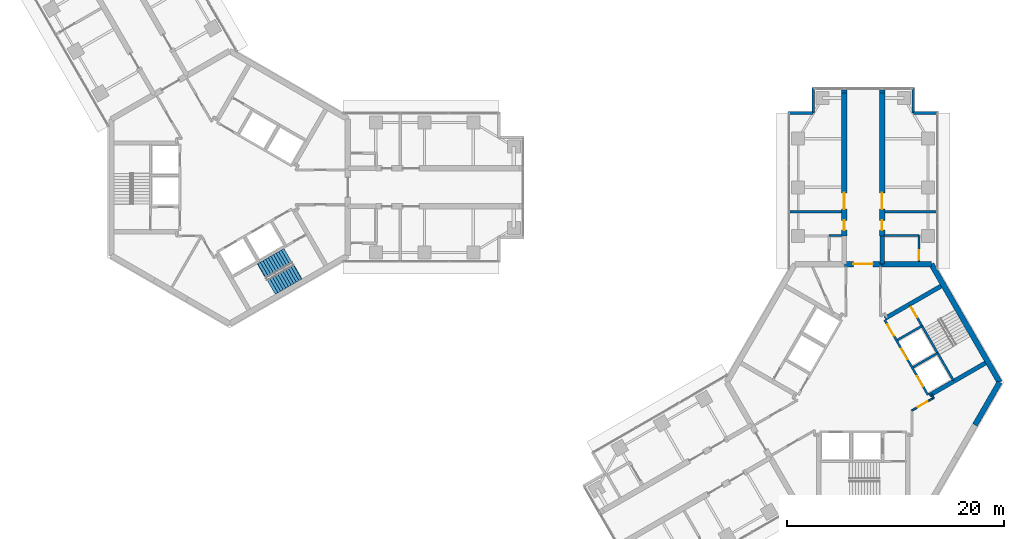
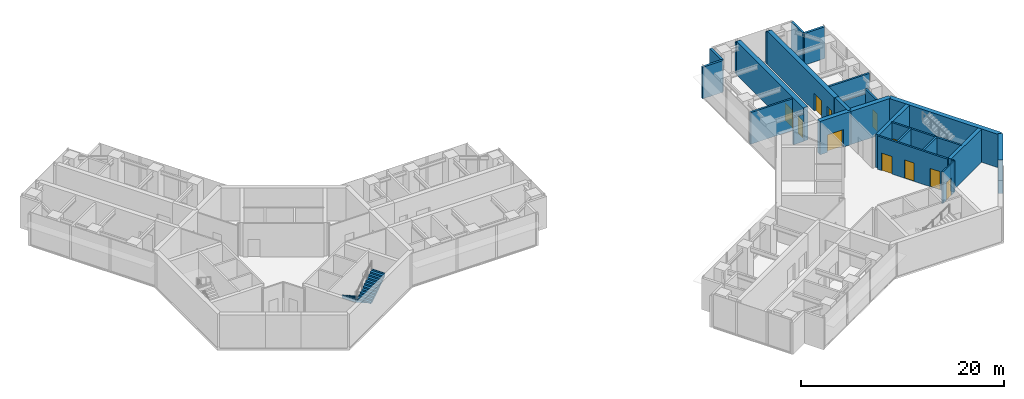
# One storey, part 15 of 17: 26 walls, 11 doors, 2 stair flights, 11 openings, 1 element without a shape of its own.
"""IFC4 building model written with IfcOpenShell, lengths in metres."""

from ifc_helpers import new_model, si_unit, direction, frame, frame_2d, origin, place, context, subcontext, project, spatial, polyline, rectangle, outline, extrude, material, layer, layer_set, type_object, element, fill, aggregate, save


model = new_model("IFC4")

# Units and contexts
model_context = context("Model", 3, precision=1e-05, world=origin(), true_north=direction((0.0, 1.0)))
body_context = subcontext(model_context, "Body", "Model", "MODEL_VIEW")
ifc_project = project(units=[si_unit("LENGTHUNIT", "METRE"), si_unit("AREAUNIT", "SQUARE_METRE"), si_unit("VOLUMEUNIT", "CUBIC_METRE"), si_unit("PLANEANGLEUNIT", "RADIAN"), si_unit("MASSUNIT", "GRAM", prefix="KILO")], contexts=[model_context])

# Site, building, storey
site_placement = place(None, origin())
site = spatial("IfcSite", under=ifc_project, at=site_placement, CompositionType="ELEMENT")
building_placement = place(site_placement, origin())
building = spatial("IfcBuilding", under=site, at=building_placement, Name="Upepo Twin Towers", CompositionType="ELEMENT")
storey_placement = place(building_placement, frame((0.0, 0.0, 174.5)))
storey = spatial("IfcBuildingStorey", under=building, at=storey_placement, Name="L42", CompositionType="ELEMENT", Elevation=174.5)

# Walls
ifc_material_1 = material(Name="Concrete blockwork, plastered both faces", Category="masonry")
ifc_layer_1 = layer(ifc_material_1, 0.215087890625)
ifc_layer_set_1 = layer_set([ifc_layer_1], Name="Blockwork partition 215")
wall_type_1 = type_object("IfcWallType", Name="Blockwork partition 215", PredefinedType="PARTITIONING", material=ifc_layer_set_1)
wall_1_placement = place(storey_placement, frame((56.5, -2.25, 0.0), z_axis=(0.0, 0.0, 1.0), x_axis=(-1.0, 0.0, 0.0)))
element("IfcWall", 1, at=wall_1_placement, inside=storey, type_object=wall_type_1, Name="T2 partition AL at 15.75", PredefinedType="PARTITIONING", context=body_context, shape_type="SweptSolid", body=[
    extrude(rectangle(XDim=4.75, YDim=0.215087890625, at=frame_2d((2.375, 0.0))), origin(), (0.0, 0.0, 1.0), 3.800048828125),
])
wall_2_placement = place(storey_placement, frame((56.550048828125, -4.44189453125, 0.0), z_axis=(0.0, 0.0, 1.0), x_axis=(-1.0, 0.0, 0.0)))
element("IfcWall", 2, at=wall_2_placement, inside=storey, type_object=wall_type_1, Name="T2 WC bay partition AL end at 13.56", PredefinedType="PARTITIONING", context=body_context, shape_type="SweptSolid", body=[
    extrude(rectangle(XDim=1.199951171875, YDim=0.215087890625, at=frame_2d((0.60009765625, 0.0))), origin(), (0.0, 0.0, 1.0), 3.266845703125),
])
wall_3_placement = place(storey_placement, frame((60.5, -2.25, 0.0), z_axis=(0.0, 0.0, 1.0), x_axis=(1.0, 0.0, 0.0)))
element("IfcWall", 3, at=wall_3_placement, inside=storey, type_object=wall_type_1, Name="T2 partition AR at 15.75", PredefinedType="PARTITIONING", context=body_context, shape_type="SweptSolid", body=[
    extrude(rectangle(XDim=4.75, YDim=0.215087890625, at=frame_2d((2.375, 0.0))), origin(), (0.0, 0.0, 1.0), 3.800048828125),
])

# Wall, opening, door
wall_4_placement = place(storey_placement, frame((63.64990234375, -6.842041015625, 0.0), z_axis=(0.0, 0.0, 1.0), x_axis=(0.0, 1.0, 0.0)))
wall_4 = element("IfcWall", 4, at=wall_4_placement, inside=storey, type_object=wall_type_1, Name="T2 WC bay partition AR at 11.16", PredefinedType="PARTITIONING", context=body_context, shape_type="SweptSolid", body=[
    extrude(rectangle(XDim=2.400146484375, YDim=0.215087890625, at=frame_2d((1.2001953125, 0.0))), origin(), (0.0, 0.0, 1.0), 3.800048828125),
])
opening_1_placement = place(wall_4_placement, frame((0.14990234375, 0.0, 0.0)))
opening_1 = element("IfcOpeningElement", 5, at=opening_1_placement, cuts=wall_4, Name="Opening D14", PredefinedType="OPENING", context=body_context, shape_type="SweptSolid", body=[
    extrude(rectangle(XDim=0.89990234375, YDim=2.10009765625, at=frame_2d((0.449951171875, 1.050048828125))), frame((0.0, 0.117431640625, 0.0), z_axis=(0.0, -1.0, 0.0), x_axis=(1.0, 0.0, 0.0)), (0.0, 0.0, 1.0), 0.235107421875),
])
ifc_material_2 = material(Name="Timber doorset", Category="wood")
door_type_1 = type_object("IfcDoorType", Name="Office door 900 FD30", OperationType="SINGLE_SWING_LEFT", PredefinedType="DOOR", material=ifc_material_2)
door_1_placement = place(opening_1_placement, origin())
door_1 = element("IfcDoor", 6, at=door_1_placement, inside=storey, type_object=door_type_1, Name="T2 L42 WC bay inner room door", OperationType="SINGLE_SWING_LEFT", OverallHeight=2.10009765625, OverallWidth=0.89990234375, PredefinedType="DOOR", context=body_context, shape_type="SweptSolid", body=[
    extrude(rectangle(XDim=0.89990234375, YDim=2.10009765625, at=frame_2d((0.449951171875, 1.050048828125))), frame((0.0, 0.02490234375, 0.0), z_axis=(0.0, -1.0, 0.0), x_axis=(1.0, 0.0, 0.0)), (0.0, 0.0, 1.0), 0.050048828125),
])
fill(opening_1, door_1)

# Walls
wall_5_placement = place(storey_placement, frame((60.449951171875, -4.44189453125, 0.0), z_axis=(0.0, 0.0, 1.0), x_axis=(1.0, 0.0, 0.0)))
element("IfcWall", 7, at=wall_5_placement, inside=storey, type_object=wall_type_1, Name="T2 WC bay partition AR end at 13.56", PredefinedType="PARTITIONING", context=body_context, shape_type="SweptSolid", body=[
    extrude(rectangle(XDim=3.199951171875, YDim=0.215087890625, at=frame_2d((1.60009765625, 0.0))), origin(), (0.0, 0.0, 1.0), 3.266845703125),
])
ifc_material_3 = material(Name="Dense concrete blockwork", Category="masonry")
ifc_layer_2 = layer(ifc_material_3, 0.5)
ifc_layer_set_2 = layer_set([ifc_layer_2], Name="Buttress closer 500, blockwork with fire-stopping to the curtain wall")
wall_type_2 = type_object("IfcWallType", Name="Buttress closer 500, blockwork with fire-stopping to the curtain wall", PredefinedType="PARTITIONING", material=ifc_layer_set_2)
for number, where, z_axis, x_axis, name in (
    (8, (56.75, 8.699951171875, 0.0), (0.0, 0.0, 1.0), (0.0, 1.0, 0.0), "T2 L42 wing A buttress closer L"),
    (9, (60.25, 8.699951171875, 0.0), (0.0, 0.0, 1.0), (0.0, 1.0, 0.0), "T2 L42 wing A buttress closer R"),
):
    element("IfcWall", number, at=place(storey_placement, frame(where, z_axis=z_axis, x_axis=x_axis)), inside=storey, type_object=wall_type_2, Name=name, PredefinedType="PARTITIONING", context=body_context, shape_type="SweptSolid", body=[
        extrude(rectangle(XDim=0.28759765625, YDim=0.5, at=frame_2d((0.143798828125, 0.0))), origin(), (0.0, 0.0, 1.0), 3.800048828125),
    ])
ifc_material_4 = material(Name="Concrete C60/75", Category="concrete")
ifc_layer_3 = layer(ifc_material_4, 0.39990234375)
ifc_layer_set_3 = layer_set([ifc_layer_3], Name="Concrete C60/75")
wall_type_3 = type_object("IfcWallType", Name="Buttress wall 400 RC", PredefinedType="SHEAR", material=ifc_layer_set_3)
wall_6_placement = place(storey_placement, frame((60.25, -7.091552734375, 0.0), z_axis=(0.0, 0.0, 1.0), x_axis=(0.0, 1.0, 0.0)))
element("IfcWall", 10, at=wall_6_placement, inside=storey, type_object=wall_type_3, Name="T2 wing A buttress wall R", PredefinedType="SHEAR", context=body_context, shape_type="SweptSolid", body=[
    extrude(rectangle(XDim=2.591552734375, YDim=0.39990234375, at=frame_2d((1.2958984375, 0.0))), origin(), (0.0, 0.0, 1.0), 4.0),
])

# Wall, openings, doors
ifc_material_5 = material(Name="Concrete C60/75", Category="concrete")
ifc_layer_4 = layer(ifc_material_5, 0.5)
ifc_layer_set_4 = layer_set([ifc_layer_4], Name="Concrete C60/75")
wall_type_4 = type_object("IfcWallType", Name="Buttress wall 500 RC", PredefinedType="SHEAR", material=ifc_layer_set_4)
wall_7_placement = place(storey_placement, frame((56.75, -4.5, 0.0), z_axis=(0.0, 0.0, 1.0), x_axis=(0.0, 1.0, 0.0)))
wall_7 = element("IfcWall", 11, at=wall_7_placement, inside=storey, type_object=wall_type_4, Name="T2 wing A buttress wall L part 2", PredefinedType="SHEAR", context=body_context, shape_type="SweptSolid", body=[
    extrude(rectangle(XDim=13.199951171875, YDim=0.5, at=frame_2d((6.60009765625, 0.0))), origin(), (0.0, 0.0, 1.0), 4.0),
])
opening_2_placement = place(wall_7_placement, frame((0.550048828125, 0.0, 0.0)))
opening_2 = element("IfcOpeningElement", 12, at=opening_2_placement, cuts=wall_7, Name="Opening D11", PredefinedType="OPENING", context=body_context, shape_type="SweptSolid", body=[
    extrude(rectangle(XDim=0.89990234375, YDim=2.10009765625, at=frame_2d((0.449951171875, 1.050048828125))), frame((0.0, 0.260009765625, 0.0), z_axis=(0.0, -1.0, 0.0), x_axis=(1.0, 0.0, 0.0)), (0.0, 0.0, 1.0), 0.52001953125),
])
opening_3_placement = place(wall_7_placement, frame((2.5, 0.0, 0.0)))
opening_3 = element("IfcOpeningElement", 13, at=opening_3_placement, cuts=wall_7, Name="Opening D13", PredefinedType="OPENING", context=body_context, shape_type="SweptSolid", body=[
    extrude(rectangle(XDim=1.5, YDim=2.10009765625, at=frame_2d((0.75, 1.050048828125))), frame((0.0, 0.260009765625, 0.0), z_axis=(0.0, -1.0, 0.0), x_axis=(1.0, 0.0, 0.0)), (0.0, 0.0, 1.0), 0.52001953125),
])
ifc_material_6 = material(Name="Timber doorset", Category="wood")
door_type_2 = type_object("IfcDoorType", Name="Double door 1500 FD30", OperationType="DOUBLE_DOOR_SINGLE_SWING", PredefinedType="DOOR", material=ifc_material_6)
door_2_placement = place(opening_3_placement, origin())
door_2 = element("IfcDoor", 14, at=door_2_placement, inside=storey, type_object=door_type_2, Name="T2 L42 lecture room door", OperationType="DOUBLE_DOOR_SINGLE_SWING", OverallHeight=2.10009765625, OverallWidth=1.5, PredefinedType="DOOR", context=body_context, shape_type="SweptSolid", body=[
    extrude(rectangle(XDim=1.5, YDim=2.10009765625, at=frame_2d((0.75, 1.050048828125))), frame((0.0, 0.02490234375, 0.0), z_axis=(0.0, -1.0, 0.0), x_axis=(1.0, 0.0, 0.0)), (0.0, 0.0, 1.0), 0.050048828125),
])
fill(opening_3, door_2)
ifc_material_7 = material(Name="Timber doorset", Category="wood")
door_type_3 = type_object("IfcDoorType", Name="Toilet door 900", OperationType="SINGLE_SWING_LEFT", PredefinedType="DOOR", material=ifc_material_7)
door_3_placement = place(opening_2_placement, origin())
door_3 = element("IfcDoor", 15, at=door_3_placement, inside=storey, type_object=door_type_3, Name="T2 L42 toilets door", OperationType="SINGLE_SWING_LEFT", OverallHeight=2.10009765625, OverallWidth=0.89990234375, PredefinedType="DOOR", context=body_context, shape_type="SweptSolid", body=[
    extrude(rectangle(XDim=0.89990234375, YDim=2.10009765625, at=frame_2d((0.449951171875, 1.050048828125))), frame((0.0, 0.02490234375, 0.0), z_axis=(0.0, -1.0, 0.0), x_axis=(1.0, 0.0, 0.0)), (0.0, 0.0, 1.0), 0.050048828125),
])
fill(opening_2, door_3)

wall_8_placement = place(storey_placement, frame((60.25, -4.5, 0.0), z_axis=(0.0, 0.0, 1.0), x_axis=(0.0, 1.0, 0.0)))
wall_8 = element("IfcWall", 16, at=wall_8_placement, inside=storey, type_object=wall_type_4, Name="T2 wing A buttress wall R part 2", PredefinedType="SHEAR", context=body_context, shape_type="SweptSolid", body=[
    extrude(rectangle(XDim=13.199951171875, YDim=0.5, at=frame_2d((6.60009765625, 0.0))), origin(), (0.0, 0.0, 1.0), 4.0),
])
opening_4_placement = place(wall_8_placement, frame((0.550048828125, 0.0, 0.0)))
opening_4 = element("IfcOpeningElement", 17, at=opening_4_placement, cuts=wall_8, Name="Opening D11", PredefinedType="OPENING", context=body_context, shape_type="SweptSolid", body=[
    extrude(rectangle(XDim=0.89990234375, YDim=2.10009765625, at=frame_2d((0.449951171875, 1.050048828125))), frame((0.0, 0.260009765625, 0.0), z_axis=(0.0, -1.0, 0.0), x_axis=(1.0, 0.0, 0.0)), (0.0, 0.0, 1.0), 0.52001953125),
])
opening_5_placement = place(wall_8_placement, frame((2.5, 0.0, 0.0)))
opening_5 = element("IfcOpeningElement", 18, at=opening_5_placement, cuts=wall_8, Name="Opening D13", PredefinedType="OPENING", context=body_context, shape_type="SweptSolid", body=[
    extrude(rectangle(XDim=1.5, YDim=2.10009765625, at=frame_2d((0.75, 1.050048828125))), frame((0.0, 0.260009765625, 0.0), z_axis=(0.0, -1.0, 0.0), x_axis=(1.0, 0.0, 0.0)), (0.0, 0.0, 1.0), 0.52001953125),
])
door_4_placement = place(opening_5_placement, origin())
door_4 = element("IfcDoor", 19, at=door_4_placement, inside=storey, type_object=door_type_2, Name="T2 L42 lecture room door", OperationType="DOUBLE_DOOR_SINGLE_SWING", OverallHeight=2.10009765625, OverallWidth=1.5, PredefinedType="DOOR", context=body_context, shape_type="SweptSolid", body=[
    extrude(rectangle(XDim=1.5, YDim=2.10009765625, at=frame_2d((0.75, 1.050048828125))), frame((0.0, 0.02490234375, 0.0), z_axis=(0.0, -1.0, 0.0), x_axis=(1.0, 0.0, 0.0)), (0.0, 0.0, 1.0), 0.050048828125),
])
fill(opening_5, door_4)
door_5_placement = place(opening_4_placement, origin())
door_5 = element("IfcDoor", 20, at=door_5_placement, inside=storey, type_object=door_type_3, Name="T2 L42 accessible wc door", OperationType="SINGLE_SWING_LEFT", OverallHeight=2.10009765625, OverallWidth=0.89990234375, PredefinedType="DOOR", context=body_context, shape_type="SweptSolid", body=[
    extrude(rectangle(XDim=0.89990234375, YDim=2.10009765625, at=frame_2d((0.449951171875, 1.050048828125))), frame((0.0, 0.02490234375, 0.0), z_axis=(0.0, -1.0, 0.0), x_axis=(1.0, 0.0, 0.0)), (0.0, 0.0, 1.0), 0.050048828125),
])
fill(opening_4, door_5)

# Wall
ifc_material_8 = material(Name="Concrete C60/75", Category="concrete")
ifc_layer_5 = layer(ifc_material_8, 0.5)
ifc_layer_set_5 = layer_set([ifc_layer_5], Name="Concrete C60/75")
wall_type_5 = type_object("IfcWallType", Name="Core wall 500 RC", PredefinedType="SHEAR", material=ifc_layer_set_5)
wall_9_placement = place(storey_placement, frame((64.7978515625, -7.091552734375, 0.0), z_axis=(0.0, 0.0, 1.0), x_axis=(-1.0, 0.0, 0.0)))
element("IfcWall", 21, at=wall_9_placement, inside=storey, type_object=wall_type_5, Name="T2 core wall 000 R", PredefinedType="SHEAR", context=body_context, shape_type="SweptSolid", body=[
    extrude(rectangle(XDim=4.5478515625, YDim=0.5, at=frame_2d((2.27392578125, 0.0))), origin(), (0.0, 0.0, 1.0), 4.0),
])

# Wall, opening, door
wall_10_placement = place(storey_placement, frame((60.25, -7.091552734375, 0.0), z_axis=(0.0, 0.0, 1.0), x_axis=(-1.0, 0.0, 0.0)))
wall_10 = element("IfcWall", 22, at=wall_10_placement, inside=storey, type_object=wall_type_5, Name="T2 core wall 000", PredefinedType="SHEAR", context=body_context, shape_type="SweptSolid", body=[
    extrude(rectangle(XDim=3.5, YDim=0.5, at=frame_2d((1.75, 0.0))), origin(), (0.0, 0.0, 1.0), 4.0),
])
opening_6_placement = place(wall_10_placement, frame((0.85009765625, 0.0, 0.0)))
opening_6 = element("IfcOpeningElement", 23, at=opening_6_placement, cuts=wall_10, Name="Opening D2", PredefinedType="OPENING", context=body_context, shape_type="SweptSolid", body=[
    extrude(rectangle(XDim=1.800048828125, YDim=2.10009765625, at=frame_2d((0.89990234375, 1.050048828125))), frame((0.0, 0.260009765625, 0.0), z_axis=(0.0, -1.0, 0.0), x_axis=(1.0, 0.0, 0.0)), (0.0, 0.0, 1.0), 0.52001953125),
])
ifc_material_9 = material(Name="Timber doorset", Category="wood")
door_type_4 = type_object("IfcDoorType", Name="Corridor double door 1800 FD60", OperationType="DOUBLE_DOOR_DOUBLE_SWING", PredefinedType="DOOR", material=ifc_material_9)
door_6_placement = place(opening_6_placement, origin())
door_6 = element("IfcDoor", 24, at=door_6_placement, inside=storey, type_object=door_type_4, Name="T2 L42 wing A corridor door", OperationType="DOUBLE_DOOR_DOUBLE_SWING", OverallHeight=2.10009765625, OverallWidth=1.800048828125, PredefinedType="DOOR", context=body_context, shape_type="SweptSolid", body=[
    extrude(rectangle(XDim=1.800048828125, YDim=2.10009765625, at=frame_2d((0.89990234375, 1.050048828125))), frame((0.0, 0.02490234375, 0.0), z_axis=(0.0, -1.0, 0.0), x_axis=(1.0, 0.0, 0.0)), (0.0, 0.0, 1.0), 0.050048828125),
])
fill(opening_6, door_6)

# Walls
wall_11_placement = place(storey_placement, frame((68.82177734375, -21.938720703125, 0.0), z_axis=(0.0, 0.0, 1.0), x_axis=(0.500024481964, 0.866011268655, 0.0)))
element("IfcWall", 25, at=wall_11_placement, inside=storey, type_object=wall_type_5, Name="T2 core wall 240 L", PredefinedType="SHEAR", context=body_context, shape_type="SweptSolid", body=[
    extrude(rectangle(XDim=4.548095703125, YDim=0.5, at=frame_2d((2.27392578125, 0.0))), origin(), (0.0, 0.0, 1.0), 4.0),
])
wall_12_placement = place(storey_placement, frame((71.095947265625, -18.0, 0.0), z_axis=(0.0, 0.0, 1.0), x_axis=(-0.500005998175, 0.866021940709, 0.0)))
element("IfcWall", 26, at=wall_12_placement, inside=storey, type_object=wall_type_5, Name="T2 core wall 300", PredefinedType="SHEAR", context=body_context, shape_type="SweptSolid", body=[
    extrude(rectangle(XDim=12.595947265625, YDim=0.5, at=frame_2d((6.2978515625, 0.0))), origin(), (0.0, 0.0, 1.0), 4.0),
])
ifc_material_10 = material(Name="Blockwork with anodised aluminium cladding", Category="masonry")
ifc_layer_6 = layer(ifc_material_10, 0.25)
ifc_layer_set_6 = layer_set([ifc_layer_6], Name="Notch cladding wall 250, pale metal")
wall_type_6 = type_object("IfcWallType", Name="Notch cladding wall 250, pale metal", PredefinedType="STANDARD", material=ifc_layer_set_6)
for number, where, z_axis, x_axis, name in (
    (27, (51.550048828125, 6.875, 0.0), (0.0, 0.0, 1.0), (1.0, 0.0, 0.0), "T2 L42 wing A notch wall L1"),
    (28, (53.875, 6.875, 0.0), (0.0, 0.0, 1.0), (0.0, 1.0, 0.0), "T2 L42 wing A notch wall L2"),
    (29, (65.449951171875, 6.875, 0.0), (0.0, 0.0, 1.0), (-1.0, 0.0, 0.0), "T2 L42 wing A notch wall R1"),
    (30, (63.125, 6.875, 0.0), (0.0, 0.0, 1.0), (0.0, 1.0, 0.0), "T2 L42 wing A notch wall R2"),
):
    element("IfcWall", number, at=place(storey_placement, frame(where, z_axis=z_axis, x_axis=x_axis)), inside=storey, type_object=wall_type_6, Name=name, PredefinedType="STANDARD", context=body_context, shape_type="SweptSolid", body=[
        extrude(rectangle(XDim=2.324951171875, YDim=0.25, at=frame_2d((1.16259765625, 0.0))), origin(), (0.0, 0.0, 1.0), 3.800048828125),
    ])

# Wall, openings, doors
ifc_material_11 = material(Name="Concrete C40/50", Category="concrete")
ifc_layer_7 = layer(ifc_material_11, 0.199951171875)
ifc_layer_set_7 = layer_set([ifc_layer_7], Name="Concrete C40/50")
wall_type_7 = type_object("IfcWallType", Name="Shaft wall 200 RC", PredefinedType="SHEAR", material=ifc_layer_set_7)
wall_13_placement = place(storey_placement, frame((64.483642578125, -19.1640625, 0.0), z_axis=(0.0, 0.0, 1.0), x_axis=(-0.49999894854, 0.866026010844, 0.0)))
wall_13 = element("IfcWall", 31, at=wall_13_placement, inside=storey, type_object=wall_type_7, Name="T2 core W300 front wall", PredefinedType="SHEAR", context=body_context, shape_type="SweptSolid", body=[
    extrude(rectangle(XDim=8.0, YDim=0.199951171875, at=frame_2d((4.0, 0.0))), origin(), (0.0, 0.0, 1.0), 4.0),
])
opening_7_placement = place(wall_13_placement, frame((6.300048828125, 0.0, 0.0)))
opening_7 = element("IfcOpeningElement", 32, at=opening_7_placement, cuts=wall_13, Name="Opening D4", PredefinedType="OPENING", context=body_context, shape_type="SweptSolid", body=[
    extrude(rectangle(XDim=1.199951171875, YDim=2.10009765625, at=frame_2d((0.60009765625, 1.050048828125))), frame((0.0, 0.10986328125, 0.0), z_axis=(0.0, -1.0, 0.0), x_axis=(1.0, 0.0, 0.0)), (0.0, 0.0, 1.0), 0.219970703125),
])
opening_8_placement = place(wall_13_placement, frame((0.89990234375, 0.0, 0.0)))
opening_8 = element("IfcOpeningElement", 33, at=opening_8_placement, cuts=wall_13, Name="Opening LD1", PredefinedType="OPENING", context=body_context, shape_type="SweptSolid", body=[
    extrude(rectangle(XDim=1.10009765625, YDim=2.199951171875, at=frame_2d((0.550048828125, 1.10009765625))), frame((0.0, 0.10986328125, 0.0), z_axis=(0.0, -1.0, 0.0), x_axis=(1.0, 0.0, 0.0)), (0.0, 0.0, 1.0), 0.219970703125),
])
opening_9_placement = place(wall_13_placement, frame((3.800048828125, 0.0, 0.0)))
opening_9 = element("IfcOpeningElement", 34, at=opening_9_placement, cuts=wall_13, Name="Opening LD1", PredefinedType="OPENING", context=body_context, shape_type="SweptSolid", body=[
    extrude(rectangle(XDim=1.10009765625, YDim=2.199951171875, at=frame_2d((0.550048828125, 1.10009765625))), frame((0.0, 0.10986328125, 0.0), z_axis=(0.0, -1.0, 0.0), x_axis=(1.0, 0.0, 0.0)), (0.0, 0.0, 1.0), 0.219970703125),
])
ifc_material_12 = material(Name="Steel doorset", Category="steel")
door_type_5 = type_object("IfcDoorType", Name="Lift landing door 1100", OperationType="DOUBLE_DOOR_SLIDING", PredefinedType="DOOR", material=ifc_material_12)
door_7_placement = place(opening_8_placement, origin())
door_7 = element("IfcDoor", 35, at=door_7_placement, inside=storey, type_object=door_type_5, Name="T2 L42 lift UL1 landing door", OperationType="DOUBLE_DOOR_SLIDING", OverallHeight=2.199951171875, OverallWidth=1.10009765625, PredefinedType="DOOR", context=body_context, shape_type="SweptSolid", body=[
    extrude(rectangle(XDim=1.10009765625, YDim=2.199951171875, at=frame_2d((0.550048828125, 1.10009765625))), frame((0.0, 0.02490234375, 0.0), z_axis=(0.0, -1.0, 0.0), x_axis=(1.0, 0.0, 0.0)), (0.0, 0.0, 1.0), 0.050048828125),
])
fill(opening_8, door_7)
door_8_placement = place(opening_9_placement, origin())
door_8 = element("IfcDoor", 36, at=door_8_placement, inside=storey, type_object=door_type_5, Name="T2 L42 lift UL2 landing door", OperationType="DOUBLE_DOOR_SLIDING", OverallHeight=2.199951171875, OverallWidth=1.10009765625, PredefinedType="DOOR", context=body_context, shape_type="SweptSolid", body=[
    extrude(rectangle(XDim=1.10009765625, YDim=2.199951171875, at=frame_2d((0.550048828125, 1.10009765625))), frame((0.0, 0.02490234375, 0.0), z_axis=(0.0, -1.0, 0.0), x_axis=(1.0, 0.0, 0.0)), (0.0, 0.0, 1.0), 0.050048828125),
])
fill(opening_9, door_8)
ifc_material_13 = material(Name="Timber doorset", Category="wood")
door_type_6 = type_object("IfcDoorType", Name="Lobby door 1200 FD60", OperationType="SINGLE_SWING_LEFT", PredefinedType="DOOR", material=ifc_material_13)
door_9_placement = place(opening_7_placement, origin())
door_9 = element("IfcDoor", 37, at=door_9_placement, inside=storey, type_object=door_type_6, Name="T2 L42 W300 lobby door", OperationType="SINGLE_SWING_RIGHT", OverallHeight=2.10009765625, OverallWidth=1.199951171875, PredefinedType="DOOR", context=body_context, shape_type="SweptSolid", body=[
    extrude(rectangle(XDim=1.199951171875, YDim=2.10009765625, at=frame_2d((0.60009765625, 1.050048828125))), frame((0.0, 0.02490234375, 0.0), z_axis=(0.0, -1.0, 0.0), x_axis=(1.0, 0.0, 0.0)), (0.0, 0.0, 1.0), 0.050048828125),
])
fill(opening_7, door_9)

# Walls
wall_14_placement = place(storey_placement, frame((63.120361328125, -16.6025390625, 0.0), z_axis=(0.0, 0.0, 1.0), x_axis=(0.866062058628, 0.499936506574, 0.0)))
element("IfcWall", 38, at=wall_14_placement, inside=storey, type_object=wall_type_7, Name="T2 core W300 shaft divider", PredefinedType="SHEAR", context=body_context, shape_type="SweptSolid", body=[
    extrude(rectangle(XDim=2.599853515625, YDim=0.199951171875, at=frame_2d((1.2998046875, 0.0))), origin(), (0.0, 0.0, 1.0), 4.0),
])
wall_15_placement = place(storey_placement, frame((61.67041015625, -14.091064453125, 0.0), z_axis=(0.0, 0.0, 1.0), x_axis=(0.86603858612, 0.49997716683, 0.0)))
element("IfcWall", 39, at=wall_15_placement, inside=storey, type_object=wall_type_7, Name="T2 core W300 lobby wall", PredefinedType="SHEAR", context=body_context, shape_type="SweptSolid", body=[
    extrude(rectangle(XDim=2.599609375, YDim=0.199951171875, at=frame_2d((1.2998046875, 0.0))), origin(), (0.0, 0.0, 1.0), 4.0),
])

# Wall, opening, door
wall_16_placement = place(storey_placement, frame((66.822021484375, -17.814208984375, 0.0), z_axis=(0.0, 0.0, 1.0), x_axis=(-0.49999894854, 0.866026010844, 0.0)))
wall_16 = element("IfcWall", 40, at=wall_16_placement, inside=storey, type_object=wall_type_7, Name="T2 core W300 stair wall", PredefinedType="SHEAR", context=body_context, shape_type="SweptSolid", body=[
    extrude(rectangle(XDim=8.0, YDim=0.199951171875, at=frame_2d((4.0, 0.0))), origin(), (0.0, 0.0, 1.0), 4.0),
])
opening_10_placement = place(wall_16_placement, frame((6.699951171875, 0.0, 0.0)))
opening_10 = element("IfcOpeningElement", 41, at=opening_10_placement, cuts=wall_16, Name="Opening D3", PredefinedType="OPENING", context=body_context, shape_type="SweptSolid", body=[
    extrude(rectangle(XDim=1.10009765625, YDim=2.10009765625, at=frame_2d((0.550048828125, 1.050048828125))), frame((0.0, 0.10986328125, 0.0), z_axis=(0.0, -1.0, 0.0), x_axis=(1.0, 0.0, 0.0)), (0.0, 0.0, 1.0), 0.219970703125),
])
ifc_material_14 = material(Name="Timber doorset", Category="wood")
door_type_7 = type_object("IfcDoorType", Name="Stair door 1100 FD60", OperationType="SINGLE_SWING_LEFT", PredefinedType="DOOR", material=ifc_material_14)
door_10_placement = place(opening_10_placement, origin())
door_10 = element("IfcDoor", 42, at=door_10_placement, inside=storey, type_object=door_type_7, Name="T2 L42 stair door", OperationType="SINGLE_SWING_RIGHT", OverallHeight=2.10009765625, OverallWidth=1.10009765625, PredefinedType="DOOR", context=body_context, shape_type="SweptSolid", body=[
    extrude(rectangle(XDim=1.10009765625, YDim=2.10009765625, at=frame_2d((0.550048828125, 1.050048828125))), frame((0.0, 0.02490234375, 0.0), z_axis=(0.0, -1.0, 0.0), x_axis=(1.0, 0.0, 0.0)), (0.0, 0.0, 1.0), 0.050048828125),
])
fill(opening_10, door_10)

# Walls
ifc_material_15 = material(Name="Concrete C40/50", Category="concrete")
ifc_layer_8 = layer(ifc_material_15, 0.39990234375)
ifc_layer_set_8 = layer_set([ifc_layer_8], Name="Concrete C40/50")
wall_type_8 = type_object("IfcWallType", Name="Shaft wall 400 RC", PredefinedType="SHEAR", material=ifc_layer_set_8)
wall_17_placement = place(storey_placement, frame((60.520263671875, -12.099365234375, 0.0), z_axis=(0.0, 0.0, 1.0), x_axis=(0.86602319114, 0.500003832394, 0.0)))
element("IfcWall", 43, at=wall_17_placement, inside=storey, type_object=wall_type_8, Name="T2 core W300 side wall N", PredefinedType="SHEAR", context=body_context, shape_type="SweptSolid", body=[
    extrude(rectangle(XDim=5.95849609375, YDim=0.39990234375, at=frame_2d((2.979248046875, 0.0))), origin(), (0.0, 0.0, 1.0), 4.0),
])
wall_18_placement = place(storey_placement, frame((64.620361328125, -19.20068359375, 0.0), z_axis=(0.0, 0.0, 1.0), x_axis=(0.866012946976, 0.500021575205, 0.0)))
element("IfcWall", 44, at=wall_18_placement, inside=storey, type_object=wall_type_8, Name="T2 core W300 side wall S", PredefinedType="SHEAR", context=body_context, shape_type="SweptSolid", body=[
    extrude(rectangle(XDim=5.958251953125, YDim=0.39990234375, at=frame_2d((2.97900390625, 0.0))), origin(), (0.0, 0.0, 1.0), 4.0),
])
ifc_material_16 = material(Name="Gypsum board on steel studs", Category="steel")
ifc_layer_9 = layer(ifc_material_16, 0.14990234375)
ifc_layer_set_9 = layer_set([ifc_layer_9], Name="Teaching partition 150 acoustic")
wall_type_9 = type_object("IfcWallType", Name="Teaching partition 150 acoustic", PredefinedType="PARTITIONING", material=ifc_layer_set_9)
wall_19_placement = place(storey_placement, frame((64.78857421875, -19.092041015625, 0.0), z_axis=(0.0, 0.0, 1.0), x_axis=(0.499804398801, -0.866138304741, 0.0)))
element("IfcWall", 45, at=wall_19_placement, inside=storey, type_object=wall_type_9, Name="T2 core room partition 14", PredefinedType="PARTITIONING", context=body_context, shape_type="SweptSolid", body=[
    extrude(rectangle(XDim=0.429931640625, YDim=0.14990234375, at=frame_2d((0.21484375, 0.0))), origin(), (0.0, 0.0, 1.0), 3.800048828125),
])

# Wall, opening, door
wall_20_placement = place(storey_placement, frame((65.0107421875, -19.43701171875, 0.0), z_axis=(0.0, 0.0, 1.0), x_axis=(-0.865982457891, -0.500074377092, 0.0)))
wall_20 = element("IfcWall", 46, at=wall_20_placement, inside=storey, type_object=wall_type_9, Name="T2 core room partition 15", PredefinedType="PARTITIONING", context=body_context, shape_type="SweptSolid", body=[
    extrude(rectangle(XDim=2.342041015625, YDim=0.14990234375, at=frame_2d((1.1708984375, 0.0))), origin(), (0.0, 0.0, 1.0), 3.800048828125),
])
opening_11_placement = place(wall_20_placement, frame((0.6708984375, 0.0, 0.0)))
opening_11 = element("IfcOpeningElement", 47, at=opening_11_placement, cuts=wall_20, Name="Opening D1", PredefinedType="OPENING", context=body_context, shape_type="SweptSolid", body=[
    extrude(rectangle(XDim=1.0, YDim=2.10009765625, at=frame_2d((0.5, 1.050048828125))), frame((0.0, 0.0849609375, 0.0), z_axis=(0.0, -1.0, 0.0), x_axis=(1.0, 0.0, 0.0)), (0.0, 0.0, 1.0), 0.169921875),
])
ifc_material_17 = material(Name="Timber doorset", Category="wood")
door_type_8 = type_object("IfcDoorType", Name="Room door 1000 FD30", OperationType="SINGLE_SWING_LEFT", PredefinedType="DOOR", material=ifc_material_17)
door_11_placement = place(opening_11_placement, origin())
door_11 = element("IfcDoor", 48, at=door_11_placement, inside=storey, type_object=door_type_8, Name="T2 L42 core room door K3", OperationType="SINGLE_SWING_RIGHT", OverallHeight=2.10009765625, OverallWidth=1.0, PredefinedType="DOOR", context=body_context, shape_type="SweptSolid", body=[
    extrude(rectangle(XDim=1.0, YDim=2.10009765625, at=frame_2d((0.5, 1.050048828125))), frame((0.0, 0.02490234375, 0.0), z_axis=(0.0, -1.0, 0.0), x_axis=(1.0, 0.0, 0.0)), (0.0, 0.0, 1.0), 0.050048828125),
])
fill(opening_11, door_11)

# Stair, stair flights
ifc_material_18 = material(Name="Concrete C40/50", Category="concrete")
stair_type = type_object("IfcStairType", Name="Core stair, two flights", PredefinedType="HALF_TURN_STAIR", material=ifc_material_18)
stair_placement = place(storey_placement, origin())
stair = element("IfcStair", 49, at=stair_placement, inside=storey, type_object=stair_type, Name="T1 stair S2 L42", PredefinedType="HALF_TURN_STAIR")
ifc_material_19 = material(Name="Concrete C40/50", Category="concrete")
stair_flight_type = type_object("IfcStairFlightType", Name="Stair flight 1550 RC", PredefinedType="STRAIGHT", material=ifc_material_19)
stair_flight_1_placement = place(storey_placement, frame((5.40380859375, -6.31982421875, 0.0), z_axis=(0.0, 0.0, 1.0), x_axis=(-0.866025403784, -0.5, 0.0)))
stair_flight_1 = element("IfcStairFlight", 50, at=stair_flight_1_placement, type_object=stair_flight_type, Name="Stair S2 flight 1", NumberOfRisers=11, NumberOfTreads=10, PredefinedType="STRAIGHT", RiserHeight=0.181818182, TreadLength=0.28, context=body_context, shape_type="SweptSolid", body=[
    extrude(outline(polyline([(0.0, 0.0), (0.0, 0.181884765625), (0.280029296875, 0.181884765625), (0.280029296875, 0.363525390625), (0.56005859375, 0.363525390625), (0.56005859375, 0.54541015625), (0.840087890625, 0.54541015625), (0.840087890625, 0.727294921875), (1.1201171875, 0.727294921875), (1.1201171875, 0.9091796875), (1.39990234375, 0.9091796875), (1.39990234375, 1.0908203125), (1.679931640625, 1.0908203125), (1.679931640625, 1.272705078125), (1.9599609375, 1.272705078125), (1.9599609375, 1.45458984375), (2.239990234375, 1.45458984375), (2.239990234375, 1.636474609375), (2.52001953125, 1.636474609375), (2.52001953125, 1.818115234375), (2.800048828125, 1.818115234375), (2.800048828125, 2.0), (2.85009765625, 2.0), (2.85009765625, 1.639404296875), (0.3251953125, 0.0), (0.0, 0.0)])), frame((0.0, 0.77490234375, 0.0), z_axis=(0.0, -1.0, 0.0), x_axis=(1.0, 0.0, 0.0)), (0.0, 0.0, 1.0), 1.550048828125),
])
stair_flight_2_placement = place(storey_placement, frame((3.833251953125, -9.19921875, 2.0), z_axis=(0.0, 0.0, 1.0), x_axis=(0.866025403784, 0.5, 0.0)))
stair_flight_2 = element("IfcStairFlight", 51, at=stair_flight_2_placement, type_object=stair_flight_type, Name="Stair S2 flight 2", NumberOfRisers=11, NumberOfTreads=10, PredefinedType="STRAIGHT", RiserHeight=0.181818182, TreadLength=0.28, context=body_context, shape_type="SweptSolid", body=[
    extrude(outline(polyline([(0.0, 0.0), (0.0, 0.181884765625), (0.280029296875, 0.181884765625), (0.280029296875, 0.363525390625), (0.56005859375, 0.363525390625), (0.56005859375, 0.54541015625), (0.840087890625, 0.54541015625), (0.840087890625, 0.727294921875), (1.1201171875, 0.727294921875), (1.1201171875, 0.9091796875), (1.39990234375, 0.9091796875), (1.39990234375, 1.0908203125), (1.679931640625, 1.0908203125), (1.679931640625, 1.272705078125), (1.9599609375, 1.272705078125), (1.9599609375, 1.45458984375), (2.239990234375, 1.45458984375), (2.239990234375, 1.636474609375), (2.52001953125, 1.636474609375), (2.52001953125, 1.818115234375), (2.800048828125, 1.818115234375), (2.800048828125, 2.0), (2.85009765625, 2.0), (2.85009765625, 1.639404296875), (0.3251953125, 0.0), (0.0, 0.0)])), frame((0.0, 0.77490234375, 0.0), z_axis=(0.0, -1.0, 0.0), x_axis=(1.0, 0.0, 0.0)), (0.0, 0.0, 1.0), 1.550048828125),
])
aggregate(stair, [stair_flight_1, stair_flight_2])

save(model, "model.ifc")
